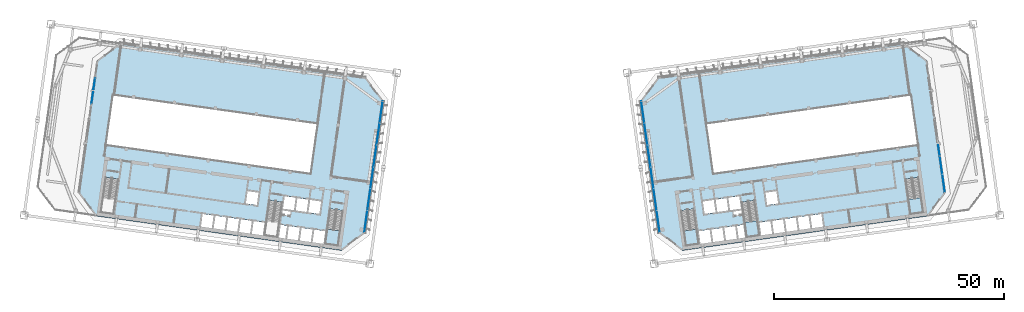
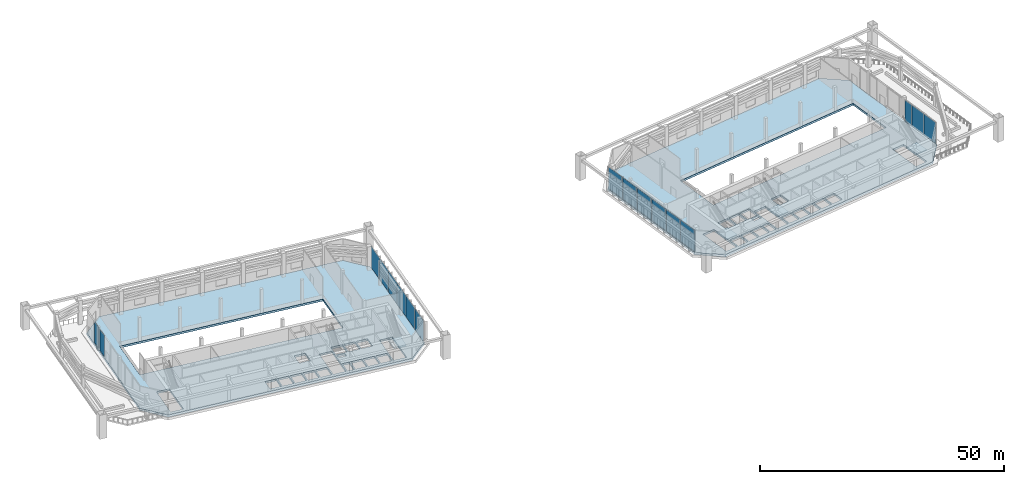
# One storey, part 18 of 41: 17 plates, 6 slabs, 8 elements without a shape of their own.
"""IFC4 building model written with IfcOpenShell, lengths in metres."""

import ifcopenshell
import ifcopenshell.guid

model = None  # the IFC model being written
_history = None  # IfcOwnerHistory: only IFC2X3 demands one
_inside = {}  # id of a spatial element -> (the spatial element, [elements in it])
_under = {}  # id of a project, library or spatial element -> (it, [spatial elements below it])
_declared = {}  # id of a project -> (the project, [libraries it declares])
_typed = {}  # id of a type object -> (the type object, [elements of that type])
_made_of = {}  # id of a material, layer set ... -> (it, [elements and type objects made of it])


def new_model(schema):
    """Start an empty IFC model of exactly this schema.

    Asked for "IFC4X3", IfcOpenShell would pick the latest addendum, in which some entities
    have other attributes; the version numbers below select the first issue.
    IFC2X3 requires an IfcOwnerHistory on every rooted entity: one is made here for all.
    """
    global model, _history
    if schema == "IFC4X3":
        model = ifcopenshell.file(schema_version=(4, 3, 0, 0))
    else:
        model = ifcopenshell.file(schema=schema)
    _inside.clear()
    _under.clear()
    _declared.clear()
    _typed.clear()
    _made_of.clear()
    _history = None
    if model.schema == "IFC2X3":
        org = make("IfcOrganization", Name="unknown")
        user = make(
            "IfcPersonAndOrganization",
            ThePerson=make("IfcPerson", FamilyName="unknown"),
            TheOrganization=org,
        )
        app = make(
            "IfcApplication",
            ApplicationDeveloper=org,
            Version="unknown",
            ApplicationFullName="unknown",
            ApplicationIdentifier="unknown",
        )
        _history = make(
            "IfcOwnerHistory",
            OwningUser=user,
            OwningApplication=app,
            ChangeAction="ADDED",
            CreationDate=0,
        )
    return model


def make(cls, **values):
    """One entity of the class cls with the attributes given. An attribute that is None is left unset."""
    return model.create_entity(
        cls, **{name: value for name, value in values.items() if value is not None}
    )


def rooted(cls, **values):
    """An entity with a GlobalId (a new one), such as an element, a storey or a relation."""
    return make(cls, GlobalId=ifcopenshell.guid.new(), OwnerHistory=_history, **values)


def si_unit(unit_type, name, prefix=None):
    """IfcSIUnit, for example si_unit("LENGTHUNIT", "METRE", prefix="MILLI")."""
    return make("IfcSIUnit", UnitType=unit_type, Prefix=prefix, Name=name)


def assignment(units):
    """IfcUnitAssignment: the units of a project."""
    return None if units is None else make("IfcUnitAssignment", Units=units)


def point(xyz):
    """IfcCartesianPoint."""
    return None if xyz is None else make("IfcCartesianPoint", Coordinates=xyz)


def direction(xyz):
    """IfcDirection."""
    return None if xyz is None else make("IfcDirection", DirectionRatios=xyz)


def frame(location, z_axis=None, x_axis=None):
    """IfcAxis2Placement3D, a coordinate frame: its origin and axes. An axis left out is left unset."""
    return make(
        "IfcAxis2Placement3D",
        Location=point(location),
        Axis=direction(z_axis),
        RefDirection=direction(x_axis),
    )


def frame_2d(location, x_axis=None):
    """IfcAxis2Placement2D, a coordinate frame in the plane: its origin and x axis."""
    return make(
        "IfcAxis2Placement2D", Location=point(location), RefDirection=direction(x_axis)
    )


def origin():
    """The frame at (0, 0, 0) with its axes left unset."""
    return frame((0.0, 0.0, 0.0))


def origin_2d():
    """The frame at (0, 0) in the plane with its x axis left unset."""
    return frame_2d((0.0, 0.0))


def place(relative_to, where):
    """IfcLocalPlacement: puts the frame where relative to a parent placement (None: the world)."""
    return make(
        "IfcLocalPlacement", PlacementRelTo=relative_to, RelativePlacement=where
    )


def context(
    kind, dimensions, precision=None, world=None, true_north=None, identifier=None
):
    """IfcGeometricRepresentationContext, for example the 3D "Model" context."""
    return make(
        "IfcGeometricRepresentationContext",
        ContextIdentifier=identifier,
        ContextType=kind,
        CoordinateSpaceDimension=dimensions,
        Precision=precision,
        WorldCoordinateSystem=world,
        TrueNorth=true_north,
    )


def subcontext(parent, identifier, kind, view, scale=None):
    """IfcGeometricRepresentationSubContext, for example "Body" below "Model"."""
    return make(
        "IfcGeometricRepresentationSubContext",
        ContextIdentifier=identifier,
        ContextType=kind,
        ParentContext=parent,
        TargetScale=scale,
        TargetView=view,
    )


def project(units=None, contexts=None):
    """IfcProject with its units and contexts."""
    return rooted(
        "IfcProject",
        Name="project",
        RepresentationContexts=contexts,
        UnitsInContext=assignment(units),
    )


def spatial(cls, under=None, at=None, **own):
    """A site, building, storey or space (cls), placed at a placement, below another one or the project."""
    s = rooted(cls, ObjectPlacement=at, **own)
    if under is not None:
        _under.setdefault(under.id(), (under, []))[1].append(s)
    return s


def polyline(points):
    """IfcPolyline through the points."""
    return make("IfcPolyline", Points=[point(p) for p in points])


def profile(cls, at=None, kind="AREA", **sizes):
    """A parametric profile (cls). Its sizes go by their IFC names, for example OverallWidth=200.0."""
    return make(cls, ProfileType=kind, Position=at, **sizes)


def rectangle(**sizes):
    """IfcRectangleProfileDef."""
    return profile("IfcRectangleProfileDef", **sizes)


def outline(outer, holes=None, kind="AREA"):
    """IfcArbitraryClosedProfileDef: a profile drawn as a closed curve; with holes, ...WithVoids."""
    if holes is None:
        return make("IfcArbitraryClosedProfileDef", ProfileType=kind, OuterCurve=outer)
    return make(
        "IfcArbitraryProfileDefWithVoids",
        ProfileType=kind,
        OuterCurve=outer,
        InnerCurves=holes,
    )


def extrude(swept, where, along, depth):
    """IfcExtrudedAreaSolid: the profile swept, set in the frame where, extruded along a direction by depth."""
    return make(
        "IfcExtrudedAreaSolid",
        SweptArea=swept,
        Position=where,
        ExtrudedDirection=direction(along),
        Depth=depth,
    )


def shape(context_of_items, identifier, shape_type, items):
    """IfcShapeRepresentation: the items that make up one representation, for example the "Body"."""
    return make(
        "IfcShapeRepresentation",
        ContextOfItems=context_of_items,
        RepresentationIdentifier=identifier,
        RepresentationType=shape_type,
        Items=items,
    )


def material(Name=None, Category=None):
    """IfcMaterial."""
    return make("IfcMaterial", Name=Name, Category=Category)


def layer(
    of_material, thickness, ventilated=None, Name=None, Category=None, Priority=None
):
    """IfcMaterialLayer: one layer of a wall or slab, of a material (None: an air gap)."""
    return make(
        "IfcMaterialLayer",
        Material=of_material,
        LayerThickness=thickness,
        IsVentilated=ventilated,
        Name=Name,
        Category=Category,
        Priority=Priority,
    )


def layer_set(layers, Name=None):
    """IfcMaterialLayerSet."""
    return make("IfcMaterialLayerSet", MaterialLayers=layers, LayerSetName=Name)


def made_of(thing, what):
    """Note that an element or type object is made of a material, layer set ...; save() writes the relation."""
    if what is not None:
        _made_of.setdefault(what.id(), (what, []))[1].append(thing)
    return thing


def type_object(cls, material=None, **own):
    """A type object (cls), such as IfcWallType, which elements share."""
    return made_of(rooted(cls, **own), material)


def element(
    cls,
    number,
    at=None,
    inside=None,
    cuts=None,
    type_object=None,
    material=None,
    context=None,
    identifier="Body",
    shape_type=None,
    held_by="IfcProductDefinitionShape",
    body=None,
    shapes=None,
    **own,
):
    """One element of the class cls, such as IfcWall. Its Tag is "e" and its number.

    at: its placement. inside: the storey or other place that contains it. cuts: it is an
    opening in that element (IfcRelVoidsElement). A single representation is given by context,
    identifier, shape_type and body (its items); several are given by shapes. held_by: the class
    of the entity that holds the representations. save() writes the other relations.
    """
    e = rooted(cls, Tag="e%d" % number, ObjectPlacement=at, **own)
    if body is not None:
        shapes = [shape(context, identifier, shape_type, body)]
    if shapes is not None:
        e.Representation = make(held_by, Representations=shapes)
    if inside is not None:
        _inside.setdefault(inside.id(), (inside, []))[1].append(e)
    if cuts is not None:
        rooted(
            "IfcRelVoidsElement", RelatingBuildingElement=cuts, RelatedOpeningElement=e
        )
    if type_object is not None:
        _typed.setdefault(type_object.id(), (type_object, []))[1].append(e)
    return made_of(e, material)


def aggregate(whole, parts):
    """IfcRelAggregates: a whole, such as a stair, and the parts it consists of."""
    return rooted("IfcRelAggregates", RelatingObject=whole, RelatedObjects=parts)


def save(model, path):
    """Write the relations noted so far, then the file.

    IfcRelAggregates (storeys below a building ...), IfcRelContainedInSpatialStructure (elements
    in a storey), IfcRelDefinesByType, IfcRelAssociatesMaterial and IfcRelDeclares: one each for
    every whole, place, type object, material and project.
    """
    for whole, parts in _under.values():
        aggregate(whole, parts)
    for where, things in _inside.values():
        rooted(
            "IfcRelContainedInSpatialStructure",
            RelatedElements=things,
            RelatingStructure=where,
        )
    for kind, things in _typed.values():
        rooted("IfcRelDefinesByType", RelatedObjects=things, RelatingType=kind)
    for what, things in _made_of.values():
        rooted("IfcRelAssociatesMaterial", RelatedObjects=things, RelatingMaterial=what)
    for by, libraries in _declared.values():
        rooted("IfcRelDeclares", RelatingContext=by, RelatedDefinitions=libraries)
    model.write(path)


model = new_model("IFC4")

# Units and contexts
model_context = context("Model", 3, precision=1e-05, world=origin(), true_north=direction((0.0, 1.0)))
body_context = subcontext(model_context, "Body", "Model", "MODEL_VIEW")
ifc_project = project(units=[si_unit("LENGTHUNIT", "METRE"), si_unit("AREAUNIT", "SQUARE_METRE"), si_unit("VOLUMEUNIT", "CUBIC_METRE"), si_unit("PLANEANGLEUNIT", "RADIAN"), si_unit("MASSUNIT", "GRAM", prefix="KILO")], contexts=[model_context])

# Site, building, storey
site_placement = place(None, origin())
site = spatial("IfcSite", under=ifc_project, at=site_placement, CompositionType="ELEMENT")
building_placement = place(site_placement, origin())
building = spatial("IfcBuilding", under=site, at=building_placement, Name="Mirante Cascada Hotel Towers", CompositionType="ELEMENT")
storey_placement = place(building_placement, frame((0.0, 0.0, 92.7)))
storey = spatial("IfcBuildingStorey", under=building, at=storey_placement, Name="L20", CompositionType="ELEMENT", Elevation=92.7)

# Curtain wall, plates
ifc_material_1 = material(Name="Aluminium mullion and transom frame with clear laminated glass", Category="aluminium")
curtain_wall_type_1 = type_object("IfcCurtainWallType", Name="End ribbon curtain wall ECW2", PredefinedType="NOTDEFINED", material=ifc_material_1)
curtain_wall_1_placement = place(storey_placement, origin())
curtain_wall_1 = element("IfcCurtainWall", 1, at=curtain_wall_1_placement, inside=storey, type_object=curtain_wall_type_1, Name="Inner end wall T1 L20", PredefinedType="NOTDEFINED")
ifc_material_2 = material(Name="Clear laminated glass", Category="glass")
ifc_layer_1 = layer(ifc_material_2, 0.034)
ifc_layer_set_1 = layer_set([ifc_layer_1], Name="ECW2 glass panel 34")
plate_type_1 = type_object("IfcPlateType", Name="ECW2 glass panel 34", PredefinedType="CURTAIN_PANEL", material=ifc_layer_set_1)
plate_1_placement = place(storey_placement, frame((-28.4763, 9.9193, 0.1), z_axis=(0.0, 0.0, 1.0), x_axis=(-0.1391731, -0.9902681, 0.0)))
plate_1 = element("IfcPlate", 2, at=plate_1_placement, type_object=plate_type_1, Name="ECW2 panel 1", PredefinedType="CURTAIN_PANEL", context=body_context, shape_type="SweptSolid", body=[
    extrude(rectangle(XDim=4.7151, YDim=0.034, at=origin_2d()), origin(), (0.0, 0.0, 1.0), 5.35),
])
plate_2_placement = place(storey_placement, frame((-29.1439, 5.1696, 0.1), z_axis=(0.0, 0.0, 1.0), x_axis=(-0.1391731, -0.9902681, 0.0)))
plate_2 = element("IfcPlate", 3, at=plate_2_placement, type_object=plate_type_1, Name="ECW2 panel 2", PredefinedType="CURTAIN_PANEL", context=body_context, shape_type="SweptSolid", body=[
    extrude(rectangle(XDim=4.7476, YDim=0.034, at=origin_2d()), origin(), (0.0, 0.0, 1.0), 5.35),
])
plate_3_placement = place(storey_placement, frame((-29.8136, 0.4038, 0.1), z_axis=(0.0, 0.0, 1.0), x_axis=(-0.1391731, -0.9902681, 0.0)))
plate_3 = element("IfcPlate", 4, at=plate_3_placement, type_object=plate_type_1, Name="ECW2 panel 3", PredefinedType="CURTAIN_PANEL", context=body_context, shape_type="SweptSolid", body=[
    extrude(rectangle(XDim=4.7476, YDim=0.034, at=origin_2d()), origin(), (0.0, 0.0, 1.0), 5.35),
])
plate_4_placement = place(storey_placement, frame((-30.4834, -4.362, 0.1), z_axis=(0.0, 0.0, 1.0), x_axis=(-0.1391731, -0.9902681, 0.0)))
plate_4 = element("IfcPlate", 5, at=plate_4_placement, type_object=plate_type_1, Name="ECW2 panel 4", PredefinedType="CURTAIN_PANEL", context=body_context, shape_type="SweptSolid", body=[
    extrude(rectangle(XDim=4.7476, YDim=0.034, at=origin_2d()), origin(), (0.0, 0.0, 1.0), 5.35),
])
plate_5_placement = place(storey_placement, frame((-31.1532, -9.1278, 0.1), z_axis=(0.0, 0.0, 1.0), x_axis=(-0.1391731, -0.9902681, 0.0)))
plate_5 = element("IfcPlate", 6, at=plate_5_placement, type_object=plate_type_1, Name="ECW2 panel 5", PredefinedType="CURTAIN_PANEL", context=body_context, shape_type="SweptSolid", body=[
    extrude(rectangle(XDim=4.7476, YDim=0.034, at=origin_2d()), origin(), (0.0, 0.0, 1.0), 5.35),
])
plate_6_placement = place(storey_placement, frame((-31.8207, -13.8775, 0.1), z_axis=(0.0, 0.0, 1.0), x_axis=(-0.1391731, -0.9902681, 0.0)))
plate_6 = element("IfcPlate", 7, at=plate_6_placement, type_object=plate_type_1, Name="ECW2 panel 6", PredefinedType="CURTAIN_PANEL", context=body_context, shape_type="SweptSolid", body=[
    extrude(rectangle(XDim=4.7151, YDim=0.034, at=origin_2d()), origin(), (0.0, 0.0, 1.0), 5.35),
])
aggregate(curtain_wall_1, [plate_1, plate_2, plate_3, plate_4, plate_5, plate_6])

curtain_wall_2_placement = place(storey_placement, origin())
curtain_wall_2 = element("IfcCurtainWall", 8, at=curtain_wall_2_placement, inside=storey, type_object=curtain_wall_type_1, Name="Inner end wall T2 L20", PredefinedType="NOTDEFINED")
plate_7_placement = place(storey_placement, frame((28.4763, 9.9193, 0.1), z_axis=(0.0, 0.0, 1.0), x_axis=(0.1391731, -0.9902681, 0.0)))
plate_7 = element("IfcPlate", 9, at=plate_7_placement, type_object=plate_type_1, Name="ECW2 panel 1", PredefinedType="CURTAIN_PANEL", context=body_context, shape_type="SweptSolid", body=[
    extrude(rectangle(XDim=4.7151, YDim=0.034, at=origin_2d()), origin(), (0.0, 0.0, 1.0), 5.35),
])
plate_8_placement = place(storey_placement, frame((29.1439, 5.1696, 0.1), z_axis=(0.0, 0.0, 1.0), x_axis=(0.1391731, -0.9902681, 0.0)))
plate_8 = element("IfcPlate", 10, at=plate_8_placement, type_object=plate_type_1, Name="ECW2 panel 2", PredefinedType="CURTAIN_PANEL", context=body_context, shape_type="SweptSolid", body=[
    extrude(rectangle(XDim=4.7476, YDim=0.034, at=origin_2d()), origin(), (0.0, 0.0, 1.0), 5.35),
])
plate_9_placement = place(storey_placement, frame((29.8136, 0.4038, 0.1), z_axis=(0.0, 0.0, 1.0), x_axis=(0.1391731, -0.9902681, 0.0)))
plate_9 = element("IfcPlate", 11, at=plate_9_placement, type_object=plate_type_1, Name="ECW2 panel 3", PredefinedType="CURTAIN_PANEL", context=body_context, shape_type="SweptSolid", body=[
    extrude(rectangle(XDim=4.7476, YDim=0.034, at=origin_2d()), origin(), (0.0, 0.0, 1.0), 5.35),
])
plate_10_placement = place(storey_placement, frame((30.4834, -4.362, 0.1), z_axis=(0.0, 0.0, 1.0), x_axis=(0.1391731, -0.9902681, 0.0)))
plate_10 = element("IfcPlate", 12, at=plate_10_placement, type_object=plate_type_1, Name="ECW2 panel 4", PredefinedType="CURTAIN_PANEL", context=body_context, shape_type="SweptSolid", body=[
    extrude(rectangle(XDim=4.7476, YDim=0.034, at=origin_2d()), origin(), (0.0, 0.0, 1.0), 5.35),
])
plate_11_placement = place(storey_placement, frame((31.1532, -9.1278, 0.1), z_axis=(0.0, 0.0, 1.0), x_axis=(0.1391731, -0.9902681, 0.0)))
plate_11 = element("IfcPlate", 13, at=plate_11_placement, type_object=plate_type_1, Name="ECW2 panel 5", PredefinedType="CURTAIN_PANEL", context=body_context, shape_type="SweptSolid", body=[
    extrude(rectangle(XDim=4.7476, YDim=0.034, at=origin_2d()), origin(), (0.0, 0.0, 1.0), 5.35),
])
plate_12_placement = place(storey_placement, frame((31.8207, -13.8775, 0.1), z_axis=(0.0, 0.0, 1.0), x_axis=(0.1391731, -0.9902681, 0.0)))
plate_12 = element("IfcPlate", 14, at=plate_12_placement, type_object=plate_type_1, Name="ECW2 panel 6", PredefinedType="CURTAIN_PANEL", context=body_context, shape_type="SweptSolid", body=[
    extrude(rectangle(XDim=4.7151, YDim=0.034, at=origin_2d()), origin(), (0.0, 0.0, 1.0), 5.35),
])
aggregate(curtain_wall_2, [plate_7, plate_8, plate_9, plate_10, plate_11, plate_12])

ifc_material_3 = material(Name="Aluminium mullion and transom frame with clear laminated glass", Category="aluminium")
curtain_wall_type_2 = type_object("IfcCurtainWallType", Name="Sky garden curtain wall ECW4", PredefinedType="NOTDEFINED", material=ifc_material_3)
curtain_wall_3_placement = place(storey_placement, origin())
curtain_wall_3 = element("IfcCurtainWall", 15, at=curtain_wall_3_placement, inside=storey, type_object=curtain_wall_type_2, Name="Sky garden wall T1 L20 run 3", PredefinedType="NOTDEFINED")
ifc_material_4 = material(Name="Clear laminated glass", Category="glass")
ifc_layer_2 = layer(ifc_material_4, 0.038)
ifc_layer_set_2 = layer_set([ifc_layer_2], Name="ECW4 glass panel 38")
plate_type_2 = type_object("IfcPlateType", Name="ECW4 glass panel 38", PredefinedType="CURTAIN_PANEL", material=ifc_layer_set_2)
plate_13_placement = place(storey_placement, frame((-91.3577, 13.013, 0.11), z_axis=(0.0, 0.0, 1.0), x_axis=(0.1391731, 0.9902681, 0.0)))
plate_13 = element("IfcPlate", 16, at=plate_13_placement, type_object=plate_type_2, Name="ECW4 panel 1", PredefinedType="CURTAIN_PANEL", context=body_context, shape_type="SweptSolid", body=[
    extrude(rectangle(XDim=2.505, YDim=0.038, at=origin_2d()), origin(), (0.0, 0.0, 1.0), 5.33),
])
plate_14_placement = place(storey_placement, frame((-90.9209, 16.1213, 0.11), z_axis=(0.0, 0.0, 1.0), x_axis=(0.1391731, 0.9902681, 0.0)))
plate_14 = element("IfcPlate", 17, at=plate_14_placement, type_object=plate_type_2, Name="ECW4 panel 1", PredefinedType="CURTAIN_PANEL", context=body_context, shape_type="SweptSolid", body=[
    extrude(rectangle(XDim=2.3929, YDim=0.038, at=origin_2d()), origin(), (0.0, 0.0, 1.0), 5.33),
])
aggregate(curtain_wall_3, [plate_13, plate_14])

curtain_wall_4_placement = place(storey_placement, origin())
curtain_wall_4 = element("IfcCurtainWall", 18, at=curtain_wall_4_placement, inside=storey, type_object=curtain_wall_type_2, Name="Sky garden wall T2 L20 run 1", PredefinedType="NOTDEFINED")
plate_15_placement = place(storey_placement, frame((93.9661, -5.5465, 0.11), z_axis=(0.0, 0.0, 1.0), x_axis=(-0.1391731, 0.9902681, 0.0)))
plate_15 = element("IfcPlate", 19, at=plate_15_placement, type_object=plate_type_2, Name="ECW4 panel 1", PredefinedType="CURTAIN_PANEL", context=body_context, shape_type="SweptSolid", body=[
    extrude(rectangle(XDim=3.897, YDim=0.038, at=origin_2d()), origin(), (0.0, 0.0, 1.0), 5.33),
])
plate_16_placement = place(storey_placement, frame((93.4107, -1.5947, 0.11), z_axis=(0.0, 0.0, 1.0), x_axis=(-0.1391731, 0.9902681, 0.0)))
plate_16 = element("IfcPlate", 20, at=plate_16_placement, type_object=plate_type_2, Name="ECW4 panel 2", PredefinedType="CURTAIN_PANEL", context=body_context, shape_type="SweptSolid", body=[
    extrude(rectangle(XDim=3.9345, YDim=0.038, at=origin_2d()), origin(), (0.0, 0.0, 1.0), 5.33),
])
plate_17_placement = place(storey_placement, frame((92.9656, 1.5722, 0.11), z_axis=(0.0, 0.0, 1.0), x_axis=(-0.1391731, 0.9902681, 0.0)))
plate_17 = element("IfcPlate", 21, at=plate_17_placement, type_object=plate_type_2, Name="ECW4 panel 3", PredefinedType="CURTAIN_PANEL", context=body_context, shape_type="SweptSolid", body=[
    extrude(rectangle(XDim=2.3114, YDim=0.038, at=origin_2d()), origin(), (0.0, 0.0, 1.0), 5.33),
])
aggregate(curtain_wall_4, [plate_15, plate_16, plate_17])

# Stair, slab
ifc_material_5 = material(Name="Concrete C35/45", Category="concrete")
stair_type = type_object("IfcStairType", Name="Exit stair half-turn 1350 concrete C35/45", PredefinedType="HALF_TURN_STAIR", material=ifc_material_5)
stair_1_placement = place(storey_placement, origin())
stair_1 = element("IfcStair", 22, at=stair_1_placement, inside=storey, type_object=stair_type, Name="L20 Exit stair A", PredefinedType="HALF_TURN_STAIR")
ifc_material_6 = material(Name="Concrete C35/45", Category="concrete")
ifc_layer_3 = layer(ifc_material_6, 0.2)
ifc_layer_set_3 = layer_set([ifc_layer_3], Name="Exit stair landing 200 concrete C35/45")
slab_type_1 = type_object("IfcSlabType", Name="Exit stair landing 200 concrete C35/45", PredefinedType="LANDING", material=ifc_layer_set_3)
slab_1_placement = place(storey_placement, frame((0.0, 0.0, 2.8)))
slab_1 = element("IfcSlab", 23, at=slab_1_placement, type_object=slab_type_1, Name="ST1-A landing 1", PredefinedType="LANDING", context=body_context, shape_type="SweptSolid", body=[
    extrude(outline(polyline([(-40.2325, -15.5296), (-40.6887, -18.7757), (-37.8665, -19.1723), (-37.4103, -15.9262), (-40.2325, -15.5296)])), origin(), (0.0, 0.0, 1.0), 0.2),
])
aggregate(stair_1, [slab_1])

stair_2_placement = place(storey_placement, origin())
stair_2 = element("IfcStair", 24, at=stair_2_placement, inside=storey, type_object=stair_type, Name="L20 Exit stair A", PredefinedType="HALF_TURN_STAIR")
slab_2_placement = place(storey_placement, frame((0.0, 0.0, 2.8)))
slab_2 = element("IfcSlab", 25, at=slab_2_placement, type_object=slab_type_1, Name="ST2-A landing 1", PredefinedType="LANDING", context=body_context, shape_type="SweptSolid", body=[
    extrude(outline(polyline([(37.4103, -15.9262), (37.8665, -19.1723), (40.6887, -18.7757), (40.2325, -15.5296), (37.4103, -15.9262)])), origin(), (0.0, 0.0, 1.0), 0.2),
])
aggregate(stair_2, [slab_2])

stair_3_placement = place(storey_placement, origin())
stair_3 = element("IfcStair", 26, at=stair_3_placement, inside=storey, type_object=stair_type, Name="L20 Exit stair B", PredefinedType="HALF_TURN_STAIR")
slab_3_placement = place(storey_placement, frame((0.0, 0.0, 2.8)))
slab_3 = element("IfcSlab", 27, at=slab_3_placement, type_object=slab_type_1, Name="ST2-B landing 1", PredefinedType="LANDING", context=body_context, shape_type="SweptSolid", body=[
    extrude(outline(polyline([(50.6304, -14.0683), (51.0866, -17.3144), (53.9088, -16.9177), (53.4526, -13.6716), (50.6304, -14.0683)])), origin(), (0.0, 0.0, 1.0), 0.2),
])
aggregate(stair_3, [slab_3])

stair_4_placement = place(storey_placement, origin())
stair_4 = element("IfcStair", 28, at=stair_4_placement, inside=storey, type_object=stair_type, Name="L20 Exit stair C", PredefinedType="HALF_TURN_STAIR")
slab_4_placement = place(storey_placement, frame((0.0, 0.0, 2.8)))
slab_4 = element("IfcSlab", 29, at=slab_4_placement, type_object=slab_type_1, Name="ST2-C landing 1", PredefinedType="LANDING", context=body_context, shape_type="SweptSolid", body=[
    extrude(outline(polyline([(86.28, -9.058), (86.7362, -12.3041), (89.5585, -11.9075), (89.1023, -8.6614), (86.28, -9.058)])), origin(), (0.0, 0.0, 1.0), 0.2),
])
aggregate(stair_4, [slab_4])

# Slabs
ifc_material_7 = material(Name="Concrete C40/50", Category="concrete")
ifc_layer_4 = layer(ifc_material_7, 0.5)
ifc_layer_set_4 = layer_set([ifc_layer_4], Name="Post-tensioned flat plate 500 Concrete C40/50")
slab_type_2 = type_object("IfcSlabType", Name="Post-tensioned flat plate 500 Concrete C40/50", PredefinedType="FLOOR", material=ifc_layer_set_4)
slab_5_placement = place(storey_placement, frame((0.0, 0.0, -0.5)))
element("IfcSlab", 30, at=slab_5_placement, inside=storey, type_object=slab_type_2, Name="Floor T1 L20", PredefinedType="FLOOR", context=body_context, shape_type="SweptSolid", body=[
    extrude(outline(polyline([(-32.018, -16.3589), (-27.982, 12.3589), (-31.8119, 17.4414), (-85.2864, 24.9567), (-85.2864, 24.9567), (-85.2864, 24.9567), (-85.2864, 24.9567), (-85.2864, 24.9567), (-85.2864, 24.9567), (-85.2864, 24.9567), (-85.2864, 24.9567), (-85.2864, 24.9567), (-90.3689, 21.1268), (-94.4049, -7.591), (-90.575, -12.6735), (-90.575, -12.6735), (-90.575, -12.6735), (-90.575, -12.6735), (-90.575, -12.6735), (-90.575, -12.6735), (-90.575, -12.6735), (-90.575, -12.6735), (-90.575, -12.6735), (-37.1005, -20.1888), (-32.018, -16.3589)]), holes=[polyline([(-43.0718, -15.6132), (-40.5961, -15.9612), (-40.9858, -18.7339), (-43.4615, -18.386), (-43.0718, -15.6132)]), polyline([(-45.8446, -15.2236), (-43.3689, -15.5715), (-43.7586, -18.3442), (-46.2342, -17.9963), (-45.8446, -15.2236)]), polyline([(-48.6173, -14.8339), (-46.1416, -15.1818), (-46.5313, -17.9546), (-49.007, -17.6066), (-48.6173, -14.8339)]), polyline([(-50.3998, -14.5834), (-48.9144, -14.7921), (-49.3041, -17.5649), (-50.7895, -17.3561), (-50.3998, -14.5834)]), polyline([(-36.7887, -11.5037), (-37.8665, -19.1723), (-40.6887, -18.7757), (-39.611, -11.107), (-36.7887, -11.5037)]), polyline([(-49.9544, -11.4145), (-48.1472, -11.6685), (-48.2829, -12.634), (-50.0901, -12.38), (-49.9544, -11.4145)]), polyline([(-43.9775, -9.124), (-41.5018, -9.472), (-41.8915, -12.2447), (-44.3672, -11.8968), (-43.9775, -9.124)]), polyline([(-47.1399, -11.5071), (-46.7503, -8.7344), (-44.2746, -9.0823), (-44.6643, -11.855), (-47.1399, -11.5071)]), polyline([(-49.9127, -11.1174), (-49.523, -8.3447), (-47.0473, -8.6926), (-47.437, -11.4654), (-49.9127, -11.1174)]), polyline([(-56.2919, -13.7553), (-53.8162, -14.1032), (-54.2059, -16.876), (-56.6816, -16.528), (-56.2919, -13.7553)]), polyline([(-59.0646, -13.3656), (-56.589, -13.7135), (-56.9787, -16.4863), (-59.4543, -16.1383), (-59.0646, -13.3656)]), polyline([(-61.8374, -12.9759), (-59.3617, -13.3238), (-59.7514, -16.0966), (-62.2271, -15.7487), (-61.8374, -12.9759)]), polyline([(-64.6101, -12.5862), (-62.1345, -12.9342), (-62.5242, -15.7069), (-64.9998, -15.359), (-64.6101, -12.5862)]), polyline([(-67.3829, -12.1965), (-64.9072, -12.5445), (-65.2969, -15.3172), (-67.7726, -14.9693), (-67.3829, -12.1965)]), polyline([(-50.0088, -9.6457), (-51.0866, -17.3144), (-53.9088, -16.9177), (-52.8311, -9.2491), (-50.0088, -9.6457)]), polyline([(-85.6585, -4.6355), (-86.7362, -12.3041), (-89.5585, -11.9075), (-88.4807, -4.2388), (-85.6585, -4.6355)]), polyline([(-57.9834, -9.9832), (-57.5937, -7.2104), (-55.118, -7.5583), (-55.5077, -10.3311), (-57.9834, -9.9832)]), polyline([(-88.4039, 2.7747), (-86.873, 13.6677), (-42.3109, 7.4049), (-43.8418, -3.4881), (-88.4039, 2.7747)])]), origin(), (0.0, 0.0, 1.0), 0.5),
])
slab_6_placement = place(storey_placement, frame((0.0, 0.0, -0.5)))
element("IfcSlab", 31, at=slab_6_placement, inside=storey, type_object=slab_type_2, Name="Floor T2 L20", PredefinedType="FLOOR", context=body_context, shape_type="SweptSolid", body=[
    extrude(outline(polyline([(32.018, -16.3589), (27.982, 12.3589), (31.8119, 17.4414), (85.2864, 24.9567), (85.2864, 24.9567), (85.2864, 24.9567), (85.2864, 24.9567), (85.2864, 24.9567), (85.2864, 24.9567), (85.2864, 24.9567), (85.2864, 24.9567), (85.2864, 24.9567), (90.3689, 21.1268), (94.4049, -7.591), (90.575, -12.6735), (90.575, -12.6735), (90.575, -12.6735), (90.575, -12.6735), (90.575, -12.6735), (90.575, -12.6735), (90.575, -12.6735), (90.575, -12.6735), (90.575, -12.6735), (37.1005, -20.1888), (32.018, -16.3589)]), holes=[polyline([(43.0718, -15.6132), (40.5961, -15.9612), (40.9858, -18.7339), (43.4615, -18.386), (43.0718, -15.6132)]), polyline([(45.8446, -15.2236), (43.3689, -15.5715), (43.7586, -18.3442), (46.2342, -17.9963), (45.8446, -15.2236)]), polyline([(48.6173, -14.8339), (46.1416, -15.1818), (46.5313, -17.9546), (49.007, -17.6066), (48.6173, -14.8339)]), polyline([(50.3998, -14.5834), (48.9144, -14.7921), (49.3041, -17.5649), (50.7895, -17.3561), (50.3998, -14.5834)]), polyline([(37.8665, -19.1723), (40.6887, -18.7757), (39.611, -11.107), (36.7887, -11.5037), (37.8665, -19.1723)]), polyline([(49.9544, -11.4145), (48.1472, -11.6685), (48.2829, -12.634), (50.0901, -12.38), (49.9544, -11.4145)]), polyline([(43.9775, -9.124), (41.5018, -9.472), (41.8915, -12.2447), (44.3672, -11.8968), (43.9775, -9.124)]), polyline([(47.1399, -11.5071), (46.7503, -8.7344), (44.2746, -9.0823), (44.6643, -11.855), (47.1399, -11.5071)]), polyline([(49.9127, -11.1174), (49.523, -8.3447), (47.0473, -8.6926), (47.437, -11.4654), (49.9127, -11.1174)]), polyline([(56.2919, -13.7553), (53.8162, -14.1032), (54.2059, -16.876), (56.6816, -16.528), (56.2919, -13.7553)]), polyline([(59.0646, -13.3656), (56.589, -13.7135), (56.9787, -16.4863), (59.4543, -16.1383), (59.0646, -13.3656)]), polyline([(61.8374, -12.9759), (59.3617, -13.3238), (59.7514, -16.0966), (62.2271, -15.7487), (61.8374, -12.9759)]), polyline([(64.6101, -12.5862), (62.1345, -12.9342), (62.5242, -15.7069), (64.9998, -15.359), (64.6101, -12.5862)]), polyline([(67.3829, -12.1965), (64.9072, -12.5445), (65.2969, -15.3172), (67.7726, -14.9693), (67.3829, -12.1965)]), polyline([(51.0866, -17.3144), (53.9088, -16.9177), (52.8311, -9.2491), (50.0088, -9.6457), (51.0866, -17.3144)]), polyline([(86.7362, -12.3041), (89.5585, -11.9075), (88.4807, -4.2388), (85.6585, -4.6355), (86.7362, -12.3041)]), polyline([(57.9834, -9.9832), (57.5937, -7.2104), (55.118, -7.5583), (55.5077, -10.3311), (57.9834, -9.9832)]), polyline([(88.4039, 2.7747), (86.873, 13.6677), (42.3109, 7.4049), (43.8418, -3.4881), (88.4039, 2.7747)])]), origin(), (0.0, 0.0, 1.0), 0.5),
])

save(model, "model.ifc")
